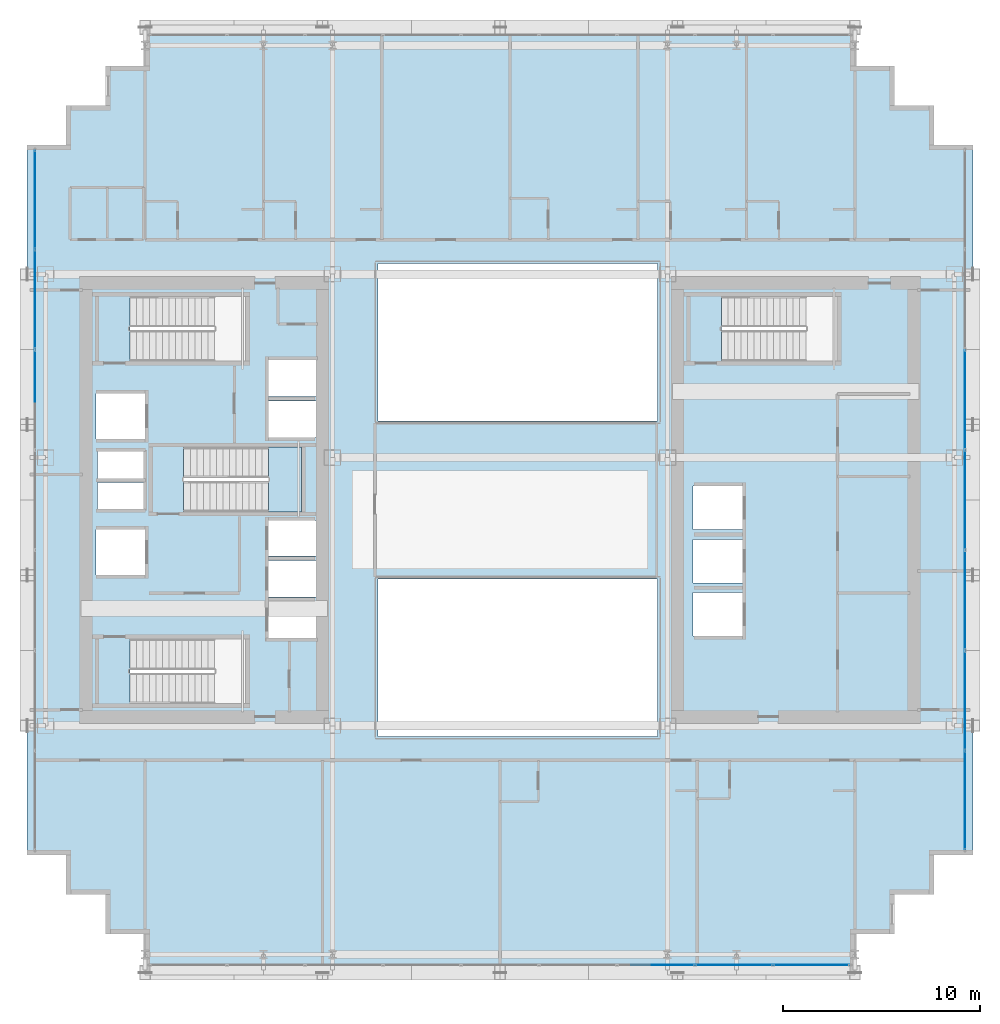
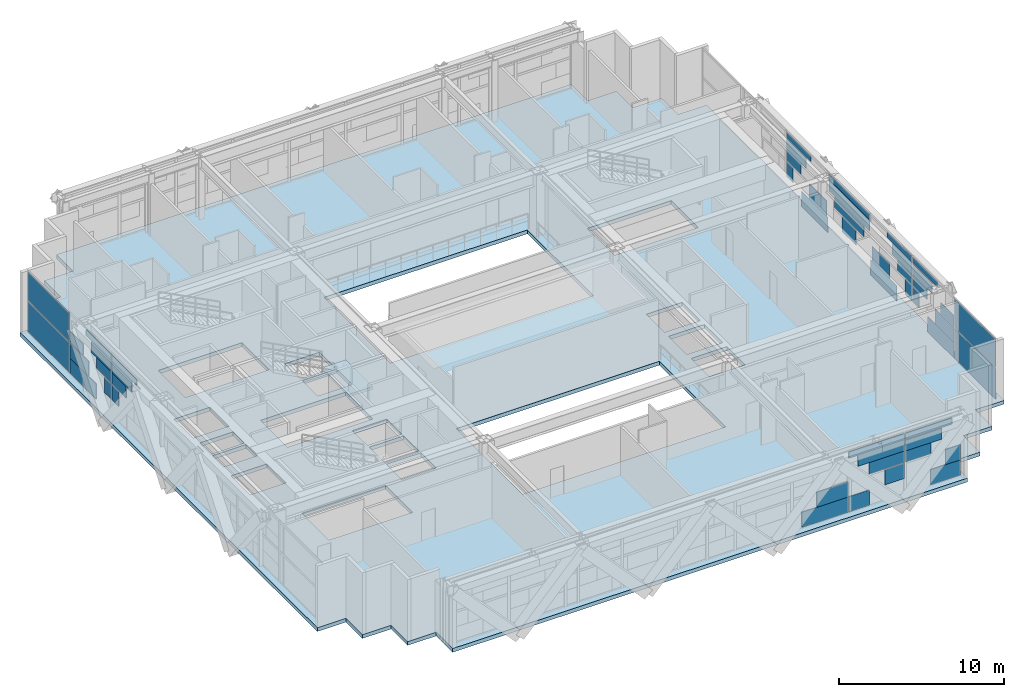
# One storey, part 26 of 38: 50 plates, 2 slabs, 4 elements without a shape of their own.
"""IFC4 building model written with IfcOpenShell, lengths in metres."""

import ifcopenshell
import ifcopenshell.guid

model = None  # the IFC model being written
_history = None  # IfcOwnerHistory: only IFC2X3 demands one
_inside = {}  # id of a spatial element -> (the spatial element, [elements in it])
_under = {}  # id of a project, library or spatial element -> (it, [spatial elements below it])
_declared = {}  # id of a project -> (the project, [libraries it declares])
_typed = {}  # id of a type object -> (the type object, [elements of that type])
_made_of = {}  # id of a material, layer set ... -> (it, [elements and type objects made of it])


def new_model(schema):
    """Start an empty IFC model of exactly this schema.

    Asked for "IFC4X3", IfcOpenShell would pick the latest addendum, in which some entities
    have other attributes; the version numbers below select the first issue.
    IFC2X3 requires an IfcOwnerHistory on every rooted entity: one is made here for all.
    """
    global model, _history
    if schema == "IFC4X3":
        model = ifcopenshell.file(schema_version=(4, 3, 0, 0))
    else:
        model = ifcopenshell.file(schema=schema)
    _inside.clear()
    _under.clear()
    _declared.clear()
    _typed.clear()
    _made_of.clear()
    _history = None
    if model.schema == "IFC2X3":
        org = make("IfcOrganization", Name="unknown")
        user = make(
            "IfcPersonAndOrganization",
            ThePerson=make("IfcPerson", FamilyName="unknown"),
            TheOrganization=org,
        )
        app = make(
            "IfcApplication",
            ApplicationDeveloper=org,
            Version="unknown",
            ApplicationFullName="unknown",
            ApplicationIdentifier="unknown",
        )
        _history = make(
            "IfcOwnerHistory",
            OwningUser=user,
            OwningApplication=app,
            ChangeAction="ADDED",
            CreationDate=0,
        )
    return model


def make(cls, **values):
    """One entity of the class cls with the attributes given. An attribute that is None is left unset."""
    return model.create_entity(
        cls, **{name: value for name, value in values.items() if value is not None}
    )


def rooted(cls, **values):
    """An entity with a GlobalId (a new one), such as an element, a storey or a relation."""
    return make(cls, GlobalId=ifcopenshell.guid.new(), OwnerHistory=_history, **values)


def si_unit(unit_type, name, prefix=None):
    """IfcSIUnit, for example si_unit("LENGTHUNIT", "METRE", prefix="MILLI")."""
    return make("IfcSIUnit", UnitType=unit_type, Prefix=prefix, Name=name)


def assignment(units):
    """IfcUnitAssignment: the units of a project."""
    return None if units is None else make("IfcUnitAssignment", Units=units)


def point(xyz):
    """IfcCartesianPoint."""
    return None if xyz is None else make("IfcCartesianPoint", Coordinates=xyz)


def direction(xyz):
    """IfcDirection."""
    return None if xyz is None else make("IfcDirection", DirectionRatios=xyz)


def frame(location, z_axis=None, x_axis=None):
    """IfcAxis2Placement3D, a coordinate frame: its origin and axes. An axis left out is left unset."""
    return make(
        "IfcAxis2Placement3D",
        Location=point(location),
        Axis=direction(z_axis),
        RefDirection=direction(x_axis),
    )


def frame_2d(location, x_axis=None):
    """IfcAxis2Placement2D, a coordinate frame in the plane: its origin and x axis."""
    return make(
        "IfcAxis2Placement2D", Location=point(location), RefDirection=direction(x_axis)
    )


def origin():
    """The frame at (0, 0, 0) with its axes left unset."""
    return frame((0.0, 0.0, 0.0))


def origin_2d():
    """The frame at (0, 0) in the plane with its x axis left unset."""
    return frame_2d((0.0, 0.0))


def place(relative_to, where):
    """IfcLocalPlacement: puts the frame where relative to a parent placement (None: the world)."""
    return make(
        "IfcLocalPlacement", PlacementRelTo=relative_to, RelativePlacement=where
    )


def context(
    kind, dimensions, precision=None, world=None, true_north=None, identifier=None
):
    """IfcGeometricRepresentationContext, for example the 3D "Model" context."""
    return make(
        "IfcGeometricRepresentationContext",
        ContextIdentifier=identifier,
        ContextType=kind,
        CoordinateSpaceDimension=dimensions,
        Precision=precision,
        WorldCoordinateSystem=world,
        TrueNorth=true_north,
    )


def subcontext(parent, identifier, kind, view, scale=None):
    """IfcGeometricRepresentationSubContext, for example "Body" below "Model"."""
    return make(
        "IfcGeometricRepresentationSubContext",
        ContextIdentifier=identifier,
        ContextType=kind,
        ParentContext=parent,
        TargetScale=scale,
        TargetView=view,
    )


def project(units=None, contexts=None):
    """IfcProject with its units and contexts."""
    return rooted(
        "IfcProject",
        Name="project",
        RepresentationContexts=contexts,
        UnitsInContext=assignment(units),
    )


def spatial(cls, under=None, at=None, **own):
    """A site, building, storey or space (cls), placed at a placement, below another one or the project."""
    s = rooted(cls, ObjectPlacement=at, **own)
    if under is not None:
        _under.setdefault(under.id(), (under, []))[1].append(s)
    return s


def polyline(points):
    """IfcPolyline through the points."""
    return make("IfcPolyline", Points=[point(p) for p in points])


def profile(cls, at=None, kind="AREA", **sizes):
    """A parametric profile (cls). Its sizes go by their IFC names, for example OverallWidth=200.0."""
    return make(cls, ProfileType=kind, Position=at, **sizes)


def rectangle(**sizes):
    """IfcRectangleProfileDef."""
    return profile("IfcRectangleProfileDef", **sizes)


def outline(outer, holes=None, kind="AREA"):
    """IfcArbitraryClosedProfileDef: a profile drawn as a closed curve; with holes, ...WithVoids."""
    if holes is None:
        return make("IfcArbitraryClosedProfileDef", ProfileType=kind, OuterCurve=outer)
    return make(
        "IfcArbitraryProfileDefWithVoids",
        ProfileType=kind,
        OuterCurve=outer,
        InnerCurves=holes,
    )


def extrude(swept, where, along, depth):
    """IfcExtrudedAreaSolid: the profile swept, set in the frame where, extruded along a direction by depth."""
    return make(
        "IfcExtrudedAreaSolid",
        SweptArea=swept,
        Position=where,
        ExtrudedDirection=direction(along),
        Depth=depth,
    )


def shape(context_of_items, identifier, shape_type, items):
    """IfcShapeRepresentation: the items that make up one representation, for example the "Body"."""
    return make(
        "IfcShapeRepresentation",
        ContextOfItems=context_of_items,
        RepresentationIdentifier=identifier,
        RepresentationType=shape_type,
        Items=items,
    )


def source(mapping_origin, context_of_items, identifier, shape_type, items):
    """IfcRepresentationMap: a shape defined once, which mapped items show again and again."""
    return make(
        "IfcRepresentationMap",
        MappingOrigin=mapping_origin,
        MappedRepresentation=shape(context_of_items, identifier, shape_type, items),
    )


def transform(
    local_origin,
    x_axis=None,
    y_axis=None,
    z_axis=None,
    scale=None,
    scale2=None,
    scale3=None,
    uniform=True,
):
    """IfcCartesianTransformationOperator3D, or its non-uniform kind. x_axis, y_axis, z_axis: its Axis1, 2, 3."""
    if uniform:
        return make(
            "IfcCartesianTransformationOperator3D",
            Axis1=direction(x_axis),
            Axis2=direction(y_axis),
            LocalOrigin=point(local_origin),
            Scale=scale,
            Axis3=direction(z_axis),
        )
    return make(
        "IfcCartesianTransformationOperator3DnonUniform",
        Axis1=direction(x_axis),
        Axis2=direction(y_axis),
        LocalOrigin=point(local_origin),
        Scale=scale,
        Axis3=direction(z_axis),
        Scale2=scale2,
        Scale3=scale3,
    )


def mapped(mapping_source, mapping_target):
    """IfcMappedItem: shows the shape of a source again, moved by a transform."""
    return make(
        "IfcMappedItem", MappingSource=mapping_source, MappingTarget=mapping_target
    )


def material(Name=None, Category=None):
    """IfcMaterial."""
    return make("IfcMaterial", Name=Name, Category=Category)


def layer(
    of_material, thickness, ventilated=None, Name=None, Category=None, Priority=None
):
    """IfcMaterialLayer: one layer of a wall or slab, of a material (None: an air gap)."""
    return make(
        "IfcMaterialLayer",
        Material=of_material,
        LayerThickness=thickness,
        IsVentilated=ventilated,
        Name=Name,
        Category=Category,
        Priority=Priority,
    )


def layer_set(layers, Name=None):
    """IfcMaterialLayerSet."""
    return make("IfcMaterialLayerSet", MaterialLayers=layers, LayerSetName=Name)


def made_of(thing, what):
    """Note that an element or type object is made of a material, layer set ...; save() writes the relation."""
    if what is not None:
        _made_of.setdefault(what.id(), (what, []))[1].append(thing)
    return thing


def type_object(cls, material=None, **own):
    """A type object (cls), such as IfcWallType, which elements share."""
    return made_of(rooted(cls, **own), material)


def element(
    cls,
    number,
    at=None,
    inside=None,
    cuts=None,
    type_object=None,
    material=None,
    context=None,
    identifier="Body",
    shape_type=None,
    held_by="IfcProductDefinitionShape",
    body=None,
    shapes=None,
    **own,
):
    """One element of the class cls, such as IfcWall. Its Tag is "e" and its number.

    at: its placement. inside: the storey or other place that contains it. cuts: it is an
    opening in that element (IfcRelVoidsElement). A single representation is given by context,
    identifier, shape_type and body (its items); several are given by shapes. held_by: the class
    of the entity that holds the representations. save() writes the other relations.
    """
    e = rooted(cls, Tag="e%d" % number, ObjectPlacement=at, **own)
    if body is not None:
        shapes = [shape(context, identifier, shape_type, body)]
    if shapes is not None:
        e.Representation = make(held_by, Representations=shapes)
    if inside is not None:
        _inside.setdefault(inside.id(), (inside, []))[1].append(e)
    if cuts is not None:
        rooted(
            "IfcRelVoidsElement", RelatingBuildingElement=cuts, RelatedOpeningElement=e
        )
    if type_object is not None:
        _typed.setdefault(type_object.id(), (type_object, []))[1].append(e)
    return made_of(e, material)


def aggregate(whole, parts):
    """IfcRelAggregates: a whole, such as a stair, and the parts it consists of."""
    return rooted("IfcRelAggregates", RelatingObject=whole, RelatedObjects=parts)


def save(model, path):
    """Write the relations noted so far, then the file.

    IfcRelAggregates (storeys below a building ...), IfcRelContainedInSpatialStructure (elements
    in a storey), IfcRelDefinesByType, IfcRelAssociatesMaterial and IfcRelDeclares: one each for
    every whole, place, type object, material and project.
    """
    for whole, parts in _under.values():
        aggregate(whole, parts)
    for where, things in _inside.values():
        rooted(
            "IfcRelContainedInSpatialStructure",
            RelatedElements=things,
            RelatingStructure=where,
        )
    for kind, things in _typed.values():
        rooted("IfcRelDefinesByType", RelatedObjects=things, RelatingType=kind)
    for what, things in _made_of.values():
        rooted("IfcRelAssociatesMaterial", RelatedObjects=things, RelatingMaterial=what)
    for by, libraries in _declared.values():
        rooted("IfcRelDeclares", RelatingContext=by, RelatedDefinitions=libraries)
    model.write(path)


model = new_model("IFC4")

# Units and contexts
model_context = context("Model", 3, precision=1e-05, world=origin(), true_north=direction((0.0, 1.0)))
body_context = subcontext(model_context, "Body", "Model", "MODEL_VIEW")
ifc_project = project(units=[si_unit("LENGTHUNIT", "METRE"), si_unit("AREAUNIT", "SQUARE_METRE"), si_unit("VOLUMEUNIT", "CUBIC_METRE"), si_unit("PLANEANGLEUNIT", "RADIAN"), si_unit("MASSUNIT", "GRAM", prefix="KILO")], contexts=[model_context])

# Site, building, storey
site_placement = place(None, origin())
site = spatial("IfcSite", under=ifc_project, at=site_placement, CompositionType="ELEMENT")
building_placement = place(site_placement, origin())
building = spatial("IfcBuilding", under=site, at=building_placement, Name="Ocotamira Hotel", CompositionType="ELEMENT")
storey_placement = place(building_placement, frame((0.0, 0.0, 92.39990234375)))
storey = spatial("IfcBuildingStorey", under=building, at=storey_placement, Name="L22", CompositionType="ELEMENT", Elevation=92.39990234375)

# Stair, slab
ifc_material_1 = material(Name="Concrete C40/50", Category="concrete")
stair_type = type_object("IfcStairType", Name="ST-CORE-1560", PredefinedType="HALF_TURN_STAIR", material=ifc_material_1)
stair_placement = place(storey_placement, origin())
stair = element("IfcStair", 1, at=stair_placement, inside=storey, type_object=stair_type, Name="L22 Exit Stair ST-3", PredefinedType="HALF_TURN_STAIR")
ifc_layer_1 = layer(ifc_material_1, 0.199951171875)
ifc_layer_set_1 = layer_set([ifc_layer_1], Name="Concrete C40/50")
slab_type_1 = type_object("IfcSlabType", Name="SLB-LAND-200", PredefinedType="LANDING", material=ifc_layer_set_1)
slab_1_placement = place(storey_placement, frame((0.0, 0.0, 2.2001953125)))
slab_1 = element("IfcSlab", 2, at=slab_1_placement, type_object=slab_type_1, Name="ST-3 landing 1", PredefinedType="LANDING", context=body_context, shape_type="SweptSolid", body=[
    extrude(outline(polyline([(20.25, 25.39990234375), (21.919921875, 25.39990234375), (21.919921875, 28.679931640625), (20.25, 28.679931640625), (20.25, 25.39990234375)])), origin(), (0.0, 0.0, 1.0), 0.199951171875),
])
aggregate(stair, [slab_1])

# Slab
ifc_layer_2 = layer(ifc_material_1, 0.280029296875)
ifc_layer_set_2 = layer_set([ifc_layer_2], Name="Concrete C40/50")
slab_type_2 = type_object("IfcSlabType", Name="SLB-SKY-280", PredefinedType="FLOOR", material=ifc_layer_set_2)
slab_2_placement = place(storey_placement, frame((0.0, 0.0, -0.27978515625)))
element("IfcSlab", 3, at=slab_2_placement, inside=storey, type_object=slab_type_2, Name="L22 Structural Floor Slab", PredefinedType="FLOOR", context=body_context, shape_type="SweptSolid", body=[
    extrude(outline(polyline([(14.0, 2.0), (50.0, 2.0), (50.0, 4.0), (52.0, 4.0), (52.0, 6.0), (54.0, 6.0), (54.0, 8.0), (56.0, 8.0), (56.0, 44.0), (54.0, 44.0), (54.0, 46.0), (52.0, 46.0), (52.0, 48.0), (50.0, 48.0), (50.0, 50.0), (14.0, 50.0), (14.0, 48.0), (12.0, 48.0), (12.0, 46.0), (10.0, 46.0), (10.0, 44.0), (8.0, 44.0), (8.0, 8.0), (10.0, 8.0), (10.0, 6.0), (12.0, 6.0), (12.0, 4.0), (14.0, 4.0), (14.0, 2.0)]), holes=[polyline([(25.800048828125, 14.0), (40.0, 14.0), (40.0, 22.0), (25.800048828125, 22.0), (25.800048828125, 14.0)]), polyline([(25.800048828125, 30.0), (40.0, 30.0), (40.0, 38.0), (25.800048828125, 38.0), (25.800048828125, 30.0)]), polyline([(13.22998046875, 15.669921875), (19.090087890625, 15.669921875), (19.090087890625, 18.949951171875), (13.22998046875, 18.949951171875), (13.22998046875, 15.669921875)]), polyline([(13.22998046875, 33.050048828125), (19.090087890625, 33.050048828125), (19.090087890625, 36.330078125), (13.22998046875, 36.330078125), (13.22998046875, 33.050048828125)]), polyline([(15.9599609375, 25.39990234375), (21.919921875, 25.39990234375), (21.919921875, 28.679931640625), (15.9599609375, 28.679931640625), (15.9599609375, 25.39990234375)]), polyline([(43.22998046875, 33.050048828125), (49.090087890625, 33.050048828125), (49.090087890625, 36.330078125), (43.22998046875, 36.330078125), (43.22998046875, 33.050048828125)]), polyline([(41.800048828125, 19.10009765625), (44.300048828125, 19.10009765625), (44.300048828125, 21.300048828125), (41.800048828125, 21.300048828125), (41.800048828125, 19.10009765625)]), polyline([(41.800048828125, 21.800048828125), (44.300048828125, 21.800048828125), (44.300048828125, 24.0), (41.800048828125, 24.0), (41.800048828125, 21.800048828125)]), polyline([(41.800048828125, 24.5), (44.300048828125, 24.5), (44.300048828125, 26.699951171875), (41.800048828125, 26.699951171875), (41.800048828125, 24.5)]), polyline([(20.25, 19.0), (22.659912109375, 19.0), (22.659912109375, 20.85009765625), (20.25, 20.85009765625), (20.25, 19.0)]), polyline([(20.25, 21.080078125), (22.659912109375, 21.080078125), (22.659912109375, 22.929931640625), (20.25, 22.929931640625), (20.25, 21.080078125)]), polyline([(20.25, 23.159912109375), (22.659912109375, 23.159912109375), (22.659912109375, 24.9599609375), (20.25, 24.9599609375), (20.25, 23.159912109375)]), polyline([(20.25, 29.179931640625), (22.659912109375, 29.179931640625), (22.659912109375, 31.030029296875), (20.25, 31.030029296875), (20.25, 29.179931640625)]), polyline([(20.25, 31.260009765625), (22.659912109375, 31.260009765625), (22.659912109375, 33.110107421875), (20.25, 33.110107421875), (20.25, 31.260009765625)]), polyline([(11.5, 22.199951171875), (14.0, 22.199951171875), (14.0, 24.5), (11.5, 24.5), (11.5, 22.199951171875)]), polyline([(11.5, 29.10009765625), (14.0, 29.10009765625), (14.0, 31.39990234375), (11.5, 31.39990234375), (11.5, 29.10009765625)]), polyline([(11.580078125, 25.550048828125), (13.919921875, 25.550048828125), (13.919921875, 26.89990234375), (11.580078125, 26.89990234375), (11.580078125, 25.550048828125)]), polyline([(11.580078125, 27.10009765625), (13.919921875, 27.10009765625), (13.919921875, 28.449951171875), (11.580078125, 28.449951171875), (11.580078125, 27.10009765625)])]), origin(), (0.0, 0.0, 1.0), 0.27978515625),
])

# Curtain wall, plate
ifc_material_2 = material(Name="Anodised pale-metal aluminium and solar glass", Category="aluminium")
ifc_layer_3 = layer(ifc_material_2, 0.239990234375)
ifc_layer_set_3 = layer_set([ifc_layer_3], Name="Anodised pale-metal aluminium and solar glass")
curtain_wall_type = type_object("IfcCurtainWallType", Name="CW-SYS5-SKY", PredefinedType="NOTDEFINED", material=ifc_layer_set_3)
curtain_wall_1_placement = place(storey_placement, origin())
curtain_wall_1 = element("IfcCurtainWall", 4, at=curtain_wall_1_placement, inside=storey, type_object=curtain_wall_type, Name="L22 Curtain Wall CW-5 CW-L22-W", PredefinedType="NOTDEFINED")
ifc_material_3 = material(Name="Double-silver low-E insulated solar glass", Category="glass")
ifc_layer_4 = layer(ifc_material_3, 0.031982421875)
ifc_layer_set_4 = layer_set([ifc_layer_4], Name="Double-silver low-E insulated solar glass")
plate_type = type_object("IfcPlateType", Name="CWP-VISION-32", PredefinedType="CURTAIN_PANEL", material=ifc_layer_set_4)
shared_shape_1 = source(origin(), body_context, "Body", "SweptSolid", [
    extrude(rectangle(XDim=4.9658203125, YDim=0.031982421875, at=origin_2d()), origin(), (0.0, 0.0, 1.0), 2.237548828125),
])
plate_1_placement = place(storey_placement, frame((8.419921875, 41.237060546875, 0.0751953125), z_axis=(0.0, 0.0, 1.0), x_axis=(0.0, 1.0, 0.0)))
plate_1 = element("IfcPlate", 5, at=plate_1_placement, type_object=plate_type, Name="CW-5 panel 7.1", PredefinedType="CURTAIN_PANEL", context=body_context, shape_type="MappedRepresentation", body=[
    mapped(shared_shape_1, transform((0.0, 0.0, 0.0), scale=1.0)),
])

curtain_wall_2_placement = place(storey_placement, origin())
curtain_wall_2 = element("IfcCurtainWall", 6, at=curtain_wall_2_placement, inside=storey, type_object=curtain_wall_type, Name="L22 Curtain Wall CW-5 CW-L22-E", PredefinedType="NOTDEFINED")
plate_2_placement = place(storey_placement, frame((55.580078125, 10.762939453125, 0.0751953125), z_axis=(0.0, 0.0, 1.0), x_axis=(0.0, 1.0, 0.0)))
plate_2 = element("IfcPlate", 7, at=plate_2_placement, type_object=plate_type, Name="CW-5 panel 1.1", PredefinedType="CURTAIN_PANEL", context=body_context, shape_type="MappedRepresentation", body=[
    mapped(shared_shape_1, transform((0.0, 0.0, 0.0), scale=1.0)),
])

# Curtain wall, plates
curtain_wall_3_placement = place(storey_placement, origin())
curtain_wall_3 = element("IfcCurtainWall", 8, at=curtain_wall_3_placement, inside=storey, type_object=curtain_wall_type, Name="L22 Curtain Wall CW-5 CW-L22-S1", PredefinedType="NOTDEFINED")
shared_shape_2 = source(origin(), body_context, "Body", "SweptSolid", [
    extrude(rectangle(XDim=2.0712890625, YDim=0.031982421875, at=origin_2d()), origin(), (0.0, 0.0, 1.0), 1.118896484375),
])
plate_3_placement = place(storey_placement, frame((48.684326171875, 2.419921875, 0.0751953125), z_axis=(0.0, 0.0, 1.0), x_axis=(1.0, 0.0, 0.0)))
plate_3 = element("IfcPlate", 9, at=plate_3_placement, type_object=plate_type, Name="CW-5 panel 9.1.1", PredefinedType="CURTAIN_PANEL", context=body_context, shape_type="MappedRepresentation", body=[
    mapped(shared_shape_2, transform((0.0, 0.0, 0.0), scale=1.0)),
])
shared_shape_3 = source(origin(), body_context, "Body", "SweptSolid", [
    extrude(rectangle(XDim=1.031005859375, YDim=0.031982421875, at=origin_2d()), origin(), (0.0, 0.0, 1.0), 1.118896484375),
])
plate_4_placement = place(storey_placement, frame((49.20458984375, 2.419921875, 1.19384765625), z_axis=(0.0, 0.0, 1.0), x_axis=(1.0, 0.0, 0.0)))
plate_4 = element("IfcPlate", 10, at=plate_4_placement, type_object=plate_type, Name="CW-5 panel 9.1.2", PredefinedType="CURTAIN_PANEL", context=body_context, shape_type="MappedRepresentation", body=[
    mapped(shared_shape_3, transform((0.0, 0.0, 0.0), scale=1.0)),
])
shared_shape_4 = source(origin(), body_context, "Body", "SweptSolid", [
    extrude(rectangle(XDim=3.256591796875, YDim=0.031982421875, at=origin_2d()), origin(), (0.0, 0.0, 1.0), 0.42919921875),
])
plate_5_placement = place(storey_placement, frame((47.5126953125, 2.419921875, 4.055908203125), z_axis=(0.0, 0.0, 1.0), x_axis=(1.0, 0.0, 0.0)))
plate_5 = element("IfcPlate", 11, at=plate_5_placement, type_object=plate_type, Name="CW-5 panel 9.2.3", PredefinedType="CURTAIN_PANEL", context=body_context, shape_type="MappedRepresentation", body=[
    mapped(shared_shape_4, transform((0.0, 0.0, 0.0), scale=1.0)),
])
shared_shape_5 = source(origin(), body_context, "Body", "SweptSolid", [
    extrude(rectangle(XDim=2.523193359375, YDim=0.031982421875, at=origin_2d()), origin(), (0.0, 0.0, 1.0), 0.79736328125),
])
plate_6_placement = place(storey_placement, frame((47.14599609375, 2.419921875, 3.184814453125), z_axis=(0.0, 0.0, 1.0), x_axis=(1.0, 0.0, 0.0)))
plate_6 = element("IfcPlate", 12, at=plate_6_placement, type_object=plate_type, Name="CW-5 panel 9.2.2", PredefinedType="CURTAIN_PANEL", context=body_context, shape_type="MappedRepresentation", body=[
    mapped(shared_shape_5, transform((0.0, 0.0, 0.0), scale=1.0)),
])
shared_shape_6 = source(origin(), body_context, "Body", "SweptSolid", [
    extrude(rectangle(XDim=1.781982421875, YDim=0.031982421875, at=origin_2d()), origin(), (0.0, 0.0, 1.0), 0.79736328125),
])
plate_7_placement = place(storey_placement, frame((46.775390625, 2.419921875, 2.387451171875), z_axis=(0.0, 0.0, 1.0), x_axis=(1.0, 0.0, 0.0)))
plate_7 = element("IfcPlate", 13, at=plate_7_placement, type_object=plate_type, Name="CW-5 panel 9.2.1", PredefinedType="CURTAIN_PANEL", context=body_context, shape_type="MappedRepresentation", body=[
    mapped(shared_shape_6, transform((0.0, 0.0, 0.0), scale=1.0)),
])
shared_shape_7 = source(origin(), body_context, "Body", "SweptSolid", [
    extrude(rectangle(XDim=1.36083984375, YDim=0.031982421875, at=origin_2d()), origin(), (0.0, 0.0, 1.0), 1.118896484375),
])
plate_8_placement = place(storey_placement, frame((45.1240234375, 2.419921875, 1.19384765625), z_axis=(0.0, 0.0, 1.0), x_axis=(1.0, 0.0, 0.0)))
plate_8 = element("IfcPlate", 14, at=plate_8_placement, type_object=plate_type, Name="CW-5 panel 8.1.2", PredefinedType="CURTAIN_PANEL", context=body_context, shape_type="MappedRepresentation", body=[
    mapped(shared_shape_7, transform((0.0, 0.0, 0.0), scale=1.0)),
])
shared_shape_8 = source(origin(), body_context, "Body", "SweptSolid", [
    extrude(rectangle(XDim=1.42236328125, YDim=0.031982421875, at=origin_2d()), origin(), (0.0, 0.0, 1.0), 1.118896484375),
])
plate_9_placement = place(storey_placement, frame((42.639892578125, 2.419921875, 0.0751953125), z_axis=(0.0, 0.0, 1.0), x_axis=(1.0, 0.0, 0.0)))
plate_9 = element("IfcPlate", 15, at=plate_9_placement, type_object=plate_type, Name="CW-5 panel 8.1.1", PredefinedType="CURTAIN_PANEL", context=body_context, shape_type="MappedRepresentation", body=[
    mapped(shared_shape_8, transform((0.0, 0.0, 0.0), scale=1.0)),
])
shared_shape_9 = source(origin(), body_context, "Body", "SweptSolid", [
    extrude(rectangle(XDim=2.470703125, YDim=0.031982421875, at=origin_2d()), origin(), (0.0, 0.0, 1.0), 0.834228515625),
])
plate_10_placement = place(storey_placement, frame((44.569091796875, 2.419921875, 2.3876953125), z_axis=(0.0, 0.0, 1.0), x_axis=(1.0, 0.0, 0.0)))
plate_10 = element("IfcPlate", 16, at=plate_10_placement, type_object=plate_type, Name="CW-5 panel 8.2.3", PredefinedType="CURTAIN_PANEL", context=body_context, shape_type="MappedRepresentation", body=[
    mapped(shared_shape_9, transform((0.0, 0.0, 0.0), scale=1.0)),
])
shared_shape_10 = source(origin(), body_context, "Body", "SweptSolid", [
    extrude(rectangle(XDim=3.246337890625, YDim=0.031982421875, at=origin_2d()), origin(), (0.0, 0.0, 1.0), 0.834228515625),
])
plate_11_placement = place(storey_placement, frame((44.18115234375, 2.419921875, 3.2216796875), z_axis=(0.0, 0.0, 1.0), x_axis=(1.0, 0.0, 0.0)))
plate_11 = element("IfcPlate", 17, at=plate_11_placement, type_object=plate_type, Name="CW-5 panel 8.2.2", PredefinedType="CURTAIN_PANEL", context=body_context, shape_type="MappedRepresentation", body=[
    mapped(shared_shape_10, transform((0.0, 0.0, 0.0), scale=1.0)),
])
shared_shape_11 = source(origin(), body_context, "Body", "SweptSolid", [
    extrude(rectangle(XDim=3.87548828125, YDim=0.031982421875, at=origin_2d()), origin(), (0.0, 0.0, 1.0), 0.42919921875),
])
plate_12_placement = place(storey_placement, frame((43.86669921875, 2.419921875, 4.055908203125), z_axis=(0.0, 0.0, 1.0), x_axis=(1.0, 0.0, 0.0)))
plate_12 = element("IfcPlate", 18, at=plate_12_placement, type_object=plate_type, Name="CW-5 panel 8.2.1", PredefinedType="CURTAIN_PANEL", context=body_context, shape_type="MappedRepresentation", body=[
    mapped(shared_shape_11, transform((0.0, 0.0, 0.0), scale=1.0)),
])
shared_shape_12 = source(origin(), body_context, "Body", "SweptSolid", [
    extrude(rectangle(XDim=3.2001953125, YDim=0.031982421875, at=origin_2d()), origin(), (0.0, 0.0, 1.0), 1.118896484375),
])
plate_13_placement = place(storey_placement, frame((40.248779296875, 2.419921875, 0.0751953125), z_axis=(0.0, 0.0, 1.0), x_axis=(1.0, 0.0, 0.0)))
plate_13 = element("IfcPlate", 19, at=plate_13_placement, type_object=plate_type, Name="CW-5 panel 7.1.1", PredefinedType="CURTAIN_PANEL", context=body_context, shape_type="MappedRepresentation", body=[
    mapped(shared_shape_12, transform((0.0, 0.0, 0.0), scale=1.0)),
])
shared_shape_13 = source(origin(), body_context, "Body", "SweptSolid", [
    extrude(rectangle(XDim=2.159912109375, YDim=0.031982421875, at=origin_2d()), origin(), (0.0, 0.0, 1.0), 1.118896484375),
])
plate_14_placement = place(storey_placement, frame((40.768798828125, 2.419921875, 1.19384765625), z_axis=(0.0, 0.0, 1.0), x_axis=(1.0, 0.0, 0.0)))
plate_14 = element("IfcPlate", 20, at=plate_14_placement, type_object=plate_type, Name="CW-5 panel 7.1.2", PredefinedType="CURTAIN_PANEL", context=body_context, shape_type="MappedRepresentation", body=[
    mapped(shared_shape_13, transform((0.0, 0.0, 0.0), scale=1.0)),
])
aggregate(curtain_wall_3, [plate_13, plate_14, plate_9, plate_8, plate_12, plate_11, plate_10, plate_3, plate_4, plate_7, plate_6, plate_5])

# Plate
shared_shape_14 = source(origin(), body_context, "Body", "SweptSolid", [
    extrude(rectangle(XDim=4.9658203125, YDim=0.031982421875, at=origin_2d()), origin(), (0.0, 0.0, 1.0), 2.097412109375),
])
plate_15_placement = place(storey_placement, frame((8.419921875, 41.237060546875, 2.3876953125), z_axis=(0.0, 0.0, 1.0), x_axis=(0.0, 1.0, 0.0)))
plate_15 = element("IfcPlate", 21, at=plate_15_placement, type_object=plate_type, Name="CW-5 panel 7.2", PredefinedType="CURTAIN_PANEL", context=body_context, shape_type="MappedRepresentation", body=[
    mapped(shared_shape_14, transform((0.0, 0.0, 0.0), scale=1.0)),
])

plate_16_placement = place(storey_placement, frame((55.580078125, 10.762939453125, 2.3876953125), z_axis=(0.0, 0.0, 1.0), x_axis=(0.0, 1.0, 0.0)))
plate_16 = element("IfcPlate", 22, at=plate_16_placement, type_object=plate_type, Name="CW-5 panel 1.2", PredefinedType="CURTAIN_PANEL", context=body_context, shape_type="MappedRepresentation", body=[
    mapped(shared_shape_14, transform((0.0, 0.0, 0.0), scale=1.0)),
])

shared_shape_15 = source(origin(), body_context, "Body", "SweptSolid", [
    extrude(rectangle(XDim=3.172119140625, YDim=0.031982421875, at=origin_2d()), origin(), (0.0, 0.0, 1.0), 1.118896484375),
])
plate_17_placement = place(storey_placement, frame((8.419921875, 37.088134765625, 0.0751953125), z_axis=(0.0, 0.0, 1.0), x_axis=(0.0, 1.0, 0.0)))
plate_17 = element("IfcPlate", 23, at=plate_17_placement, type_object=plate_type, Name="CW-5 panel 6.1.2", PredefinedType="CURTAIN_PANEL", context=body_context, shape_type="MappedRepresentation", body=[
    mapped(shared_shape_15, transform((0.0, 0.0, 0.0), scale=1.0)),
])

plate_18_placement = place(storey_placement, frame((55.580078125, 14.911865234375, 0.0751953125), z_axis=(0.0, 0.0, 1.0), x_axis=(0.0, 1.0, 0.0)))
plate_18 = element("IfcPlate", 24, at=plate_18_placement, type_object=plate_type, Name="CW-5 panel 2.1.1", PredefinedType="CURTAIN_PANEL", context=body_context, shape_type="MappedRepresentation", body=[
    mapped(shared_shape_15, transform((0.0, 0.0, 0.0), scale=1.0)),
])

shared_shape_16 = source(origin(), body_context, "Body", "SweptSolid", [
    extrude(rectangle(XDim=2.2900390625, YDim=0.031982421875, at=origin_2d()), origin(), (0.0, 0.0, 1.0), 1.118896484375),
])
plate_19_placement = place(storey_placement, frame((8.419921875, 37.529296875, 1.19384765625), z_axis=(0.0, 0.0, 1.0), x_axis=(0.0, 1.0, 0.0)))
plate_19 = element("IfcPlate", 25, at=plate_19_placement, type_object=plate_type, Name="CW-5 panel 6.1.3", PredefinedType="CURTAIN_PANEL", context=body_context, shape_type="MappedRepresentation", body=[
    mapped(shared_shape_16, transform((0.0, 0.0, 0.0), scale=1.0)),
])

plate_20_placement = place(storey_placement, frame((55.580078125, 14.470703125, 1.19384765625), z_axis=(0.0, 0.0, 1.0), x_axis=(0.0, 1.0, 0.0)))
plate_20 = element("IfcPlate", 26, at=plate_20_placement, type_object=plate_type, Name="CW-5 panel 2.1.2", PredefinedType="CURTAIN_PANEL", context=body_context, shape_type="MappedRepresentation", body=[
    mapped(shared_shape_16, transform((0.0, 0.0, 0.0), scale=1.0)),
])

shared_shape_17 = source(origin(), body_context, "Body", "SweptSolid", [
    extrude(rectangle(XDim=0.814697265625, YDim=0.031982421875, at=origin_2d()), origin(), (0.0, 0.0, 1.0), 1.118896484375),
])
plate_21_placement = place(storey_placement, frame((8.419921875, 34.075927734375, 1.19384765625), z_axis=(0.0, 0.0, 1.0), x_axis=(0.0, 1.0, 0.0)))
plate_21 = element("IfcPlate", 27, at=plate_21_placement, type_object=plate_type, Name="CW-5 panel 6.1.1", PredefinedType="CURTAIN_PANEL", context=body_context, shape_type="MappedRepresentation", body=[
    mapped(shared_shape_17, transform((0.0, 0.0, 0.0), scale=1.0)),
])

plate_22_placement = place(storey_placement, frame((55.580078125, 17.924072265625, 1.19384765625), z_axis=(0.0, 0.0, 1.0), x_axis=(0.0, 1.0, 0.0)))
plate_22 = element("IfcPlate", 28, at=plate_22_placement, type_object=plate_type, Name="CW-5 panel 2.1.3", PredefinedType="CURTAIN_PANEL", context=body_context, shape_type="MappedRepresentation", body=[
    mapped(shared_shape_17, transform((0.0, 0.0, 0.0), scale=1.0)),
])

shared_shape_18 = source(origin(), body_context, "Body", "SweptSolid", [
    extrude(rectangle(XDim=1.594482421875, YDim=0.031982421875, at=origin_2d()), origin(), (0.0, 0.0, 1.0), 0.80712890625),
])
plate_23_placement = place(storey_placement, frame((8.419921875, 37.877197265625, 2.3876953125), z_axis=(0.0, 0.0, 1.0), x_axis=(0.0, 1.0, 0.0)))
plate_23 = element("IfcPlate", 29, at=plate_23_placement, type_object=plate_type, Name="CW-5 panel 6.2.4", PredefinedType="CURTAIN_PANEL", context=body_context, shape_type="MappedRepresentation", body=[
    mapped(shared_shape_18, transform((0.0, 0.0, 0.0), scale=1.0)),
])

plate_24_placement = place(storey_placement, frame((55.580078125, 14.122802734375, 2.3876953125), z_axis=(0.0, 0.0, 1.0), x_axis=(0.0, 1.0, 0.0)))
plate_24 = element("IfcPlate", 30, at=plate_24_placement, type_object=plate_type, Name="CW-5 panel 2.2.1", PredefinedType="CURTAIN_PANEL", context=body_context, shape_type="MappedRepresentation", body=[
    mapped(shared_shape_18, transform((0.0, 0.0, 0.0), scale=1.0)),
])

shared_shape_19 = source(origin(), body_context, "Body", "SweptSolid", [
    extrude(rectangle(XDim=3.012939453125, YDim=0.031982421875, at=origin_2d()), origin(), (0.0, 0.0, 1.0), 0.403076171875),
])
plate_25_placement = place(storey_placement, frame((8.419921875, 35.175048828125, 4.08203125), z_axis=(0.0, 0.0, 1.0), x_axis=(0.0, 1.0, 0.0)))
plate_25 = element("IfcPlate", 31, at=plate_25_placement, type_object=plate_type, Name="CW-5 panel 6.2.3", PredefinedType="CURTAIN_PANEL", context=body_context, shape_type="MappedRepresentation", body=[
    mapped(shared_shape_19, transform((0.0, 0.0, 0.0), scale=1.0)),
])

plate_26_placement = place(storey_placement, frame((55.580078125, 16.824951171875, 4.08203125), z_axis=(0.0, 0.0, 1.0), x_axis=(0.0, 1.0, 0.0)))
plate_26 = element("IfcPlate", 32, at=plate_26_placement, type_object=plate_type, Name="CW-5 panel 2.2.2", PredefinedType="CURTAIN_PANEL", context=body_context, shape_type="MappedRepresentation", body=[
    mapped(shared_shape_19, transform((0.0, 0.0, 0.0), scale=1.0)),
])

shared_shape_20 = source(origin(), body_context, "Body", "SweptSolid", [
    extrude(rectangle(XDim=2.392578125, YDim=0.031982421875, at=origin_2d()), origin(), (0.0, 0.0, 1.0), 0.80712890625),
])
plate_27_placement = place(storey_placement, frame((8.419921875, 34.86474609375, 3.19482421875), z_axis=(0.0, 0.0, 1.0), x_axis=(0.0, 1.0, 0.0)))
plate_27 = element("IfcPlate", 33, at=plate_27_placement, type_object=plate_type, Name="CW-5 panel 6.2.2", PredefinedType="CURTAIN_PANEL", context=body_context, shape_type="MappedRepresentation", body=[
    mapped(shared_shape_20, transform((0.0, 0.0, 0.0), scale=1.0)),
])

plate_28_placement = place(storey_placement, frame((55.580078125, 17.13525390625, 3.19482421875), z_axis=(0.0, 0.0, 1.0), x_axis=(0.0, 1.0, 0.0)))
plate_28 = element("IfcPlate", 34, at=plate_28_placement, type_object=plate_type, Name="CW-5 panel 2.2.3", PredefinedType="CURTAIN_PANEL", context=body_context, shape_type="MappedRepresentation", body=[
    mapped(shared_shape_20, transform((0.0, 0.0, 0.0), scale=1.0)),
])

shared_shape_21 = source(origin(), body_context, "Body", "SweptSolid", [
    extrude(rectangle(XDim=1.756103515625, YDim=0.031982421875, at=origin_2d()), origin(), (0.0, 0.0, 1.0), 0.80712890625),
])
plate_29_placement = place(storey_placement, frame((8.419921875, 34.546630859375, 2.3876953125), z_axis=(0.0, 0.0, 1.0), x_axis=(0.0, 1.0, 0.0)))
plate_29 = element("IfcPlate", 35, at=plate_29_placement, type_object=plate_type, Name="CW-5 panel 6.2.1", PredefinedType="CURTAIN_PANEL", context=body_context, shape_type="MappedRepresentation", body=[
    mapped(shared_shape_21, transform((0.0, 0.0, 0.0), scale=1.0)),
])

plate_30_placement = place(storey_placement, frame((55.580078125, 17.453369140625, 2.3876953125), z_axis=(0.0, 0.0, 1.0), x_axis=(0.0, 1.0, 0.0)))
plate_30 = element("IfcPlate", 36, at=plate_30_placement, type_object=plate_type, Name="CW-5 panel 2.2.4", PredefinedType="CURTAIN_PANEL", context=body_context, shape_type="MappedRepresentation", body=[
    mapped(shared_shape_21, transform((0.0, 0.0, 0.0), scale=1.0)),
])

shared_shape_22 = source(origin(), body_context, "Body", "SweptSolid", [
    extrude(rectangle(XDim=0.80517578125, YDim=0.031982421875, at=origin_2d()), origin(), (0.0, 0.0, 1.0), 1.118896484375),
])
plate_31_placement = place(storey_placement, frame((8.419921875, 33.18603515625, 1.19384765625), z_axis=(0.0, 0.0, 1.0), x_axis=(0.0, 1.0, 0.0)))
plate_31 = element("IfcPlate", 37, at=plate_31_placement, type_object=plate_type, Name="CW-5 panel 5.1.3", PredefinedType="CURTAIN_PANEL", context=body_context, shape_type="MappedRepresentation", body=[
    mapped(shared_shape_22, transform((0.0, 0.0, 0.0), scale=1.0)),
])

plate_32_placement = place(storey_placement, frame((55.580078125, 18.81396484375, 1.19384765625), z_axis=(0.0, 0.0, 1.0), x_axis=(0.0, 1.0, 0.0)))
plate_32 = element("IfcPlate", 38, at=plate_32_placement, type_object=plate_type, Name="CW-5 panel 3.1.1", PredefinedType="CURTAIN_PANEL", context=body_context, shape_type="MappedRepresentation", body=[
    mapped(shared_shape_22, transform((0.0, 0.0, 0.0), scale=1.0)),
])

plate_33_placement = place(storey_placement, frame((55.580078125, 33.18603515625, 1.19384765625), z_axis=(0.0, 0.0, 1.0), x_axis=(0.0, 1.0, 0.0)))
plate_33 = element("IfcPlate", 39, at=plate_33_placement, type_object=plate_type, Name="CW-5 panel 5.1.3", PredefinedType="CURTAIN_PANEL", context=body_context, shape_type="MappedRepresentation", body=[
    mapped(shared_shape_22, transform((0.0, 0.0, 0.0), scale=1.0)),
])

shared_shape_23 = source(origin(), body_context, "Body", "SweptSolid", [
    extrude(rectangle(XDim=3.181884765625, YDim=0.031982421875, at=origin_2d()), origin(), (0.0, 0.0, 1.0), 1.118896484375),
])
plate_34_placement = place(storey_placement, frame((55.580078125, 21.826171875, 0.0751953125), z_axis=(0.0, 0.0, 1.0), x_axis=(0.0, 1.0, 0.0)))
plate_34 = element("IfcPlate", 40, at=plate_34_placement, type_object=plate_type, Name="CW-5 panel 3.1.2", PredefinedType="CURTAIN_PANEL", context=body_context, shape_type="MappedRepresentation", body=[
    mapped(shared_shape_23, transform((0.0, 0.0, 0.0), scale=1.0)),
])

plate_35_placement = place(storey_placement, frame((55.580078125, 30.173828125, 0.0751953125), z_axis=(0.0, 0.0, 1.0), x_axis=(0.0, 1.0, 0.0)))
plate_35 = element("IfcPlate", 41, at=plate_35_placement, type_object=plate_type, Name="CW-5 panel 5.1.1", PredefinedType="CURTAIN_PANEL", context=body_context, shape_type="MappedRepresentation", body=[
    mapped(shared_shape_23, transform((0.0, 0.0, 0.0), scale=1.0)),
])

shared_shape_24 = source(origin(), body_context, "Body", "SweptSolid", [
    extrude(rectangle(XDim=2.131591796875, YDim=0.031982421875, at=origin_2d()), origin(), (0.0, 0.0, 1.0), 1.118896484375),
])
plate_36_placement = place(storey_placement, frame((55.580078125, 22.183349609375, 1.19384765625), z_axis=(0.0, 0.0, 1.0), x_axis=(0.0, 1.0, 0.0)))
plate_36 = element("IfcPlate", 42, at=plate_36_placement, type_object=plate_type, Name="CW-5 panel 3.1.3", PredefinedType="CURTAIN_PANEL", context=body_context, shape_type="MappedRepresentation", body=[
    mapped(shared_shape_24, transform((0.0, 0.0, 0.0), scale=1.0)),
])

plate_37_placement = place(storey_placement, frame((55.580078125, 29.816650390625, 1.19384765625), z_axis=(0.0, 0.0, 1.0), x_axis=(0.0, 1.0, 0.0)))
plate_37 = element("IfcPlate", 43, at=plate_37_placement, type_object=plate_type, Name="CW-5 panel 5.1.2", PredefinedType="CURTAIN_PANEL", context=body_context, shape_type="MappedRepresentation", body=[
    mapped(shared_shape_24, transform((0.0, 0.0, 0.0), scale=1.0)),
])

shared_shape_25 = source(origin(), body_context, "Body", "SweptSolid", [
    extrude(rectangle(XDim=1.746337890625, YDim=0.031982421875, at=origin_2d()), origin(), (0.0, 0.0, 1.0), 0.80712890625),
])
plate_38_placement = place(storey_placement, frame((8.419921875, 32.71533203125, 2.3876953125), z_axis=(0.0, 0.0, 1.0), x_axis=(0.0, 1.0, 0.0)))
plate_38 = element("IfcPlate", 44, at=plate_38_placement, type_object=plate_type, Name="CW-5 panel 5.2.3", PredefinedType="CURTAIN_PANEL", context=body_context, shape_type="MappedRepresentation", body=[
    mapped(shared_shape_25, transform((0.0, 0.0, 0.0), scale=1.0)),
])

plate_39_placement = place(storey_placement, frame((55.580078125, 19.28466796875, 2.3876953125), z_axis=(0.0, 0.0, 1.0), x_axis=(0.0, 1.0, 0.0)))
plate_39 = element("IfcPlate", 45, at=plate_39_placement, type_object=plate_type, Name="CW-5 panel 3.2.1", PredefinedType="CURTAIN_PANEL", context=body_context, shape_type="MappedRepresentation", body=[
    mapped(shared_shape_25, transform((0.0, 0.0, 0.0), scale=1.0)),
])

plate_40_placement = place(storey_placement, frame((55.580078125, 32.71533203125, 2.3876953125), z_axis=(0.0, 0.0, 1.0), x_axis=(0.0, 1.0, 0.0)))
plate_40 = element("IfcPlate", 46, at=plate_40_placement, type_object=plate_type, Name="CW-5 panel 5.2.3", PredefinedType="CURTAIN_PANEL", context=body_context, shape_type="MappedRepresentation", body=[
    mapped(shared_shape_25, transform((0.0, 0.0, 0.0), scale=1.0)),
])

shared_shape_26 = source(origin(), body_context, "Body", "SweptSolid", [
    extrude(rectangle(XDim=2.383056640625, YDim=0.031982421875, at=origin_2d()), origin(), (0.0, 0.0, 1.0), 0.80712890625),
])
plate_41_placement = place(storey_placement, frame((8.419921875, 32.397216796875, 3.19482421875), z_axis=(0.0, 0.0, 1.0), x_axis=(0.0, 1.0, 0.0)))
plate_41 = element("IfcPlate", 47, at=plate_41_placement, type_object=plate_type, Name="CW-5 panel 5.2.2", PredefinedType="CURTAIN_PANEL", context=body_context, shape_type="MappedRepresentation", body=[
    mapped(shared_shape_26, transform((0.0, 0.0, 0.0), scale=1.0)),
])

plate_42_placement = place(storey_placement, frame((55.580078125, 19.602783203125, 3.19482421875), z_axis=(0.0, 0.0, 1.0), x_axis=(0.0, 1.0, 0.0)))
plate_42 = element("IfcPlate", 48, at=plate_42_placement, type_object=plate_type, Name="CW-5 panel 3.2.2", PredefinedType="CURTAIN_PANEL", context=body_context, shape_type="MappedRepresentation", body=[
    mapped(shared_shape_26, transform((0.0, 0.0, 0.0), scale=1.0)),
])

plate_43_placement = place(storey_placement, frame((55.580078125, 32.397216796875, 3.19482421875), z_axis=(0.0, 0.0, 1.0), x_axis=(0.0, 1.0, 0.0)))
plate_43 = element("IfcPlate", 49, at=plate_43_placement, type_object=plate_type, Name="CW-5 panel 5.2.2", PredefinedType="CURTAIN_PANEL", context=body_context, shape_type="MappedRepresentation", body=[
    mapped(shared_shape_26, transform((0.0, 0.0, 0.0), scale=1.0)),
])

shared_shape_27 = source(origin(), body_context, "Body", "SweptSolid", [
    extrude(rectangle(XDim=3.00341796875, YDim=0.031982421875, at=origin_2d()), origin(), (0.0, 0.0, 1.0), 0.403076171875),
])
plate_44_placement = place(storey_placement, frame((8.419921875, 32.0869140625, 4.08203125), z_axis=(0.0, 0.0, 1.0), x_axis=(0.0, 1.0, 0.0)))
plate_44 = element("IfcPlate", 50, at=plate_44_placement, type_object=plate_type, Name="CW-5 panel 5.2.1", PredefinedType="CURTAIN_PANEL", context=body_context, shape_type="MappedRepresentation", body=[
    mapped(shared_shape_27, transform((0.0, 0.0, 0.0), scale=1.0)),
])

aggregate(curtain_wall_1, [plate_31, plate_44, plate_41, plate_38, plate_21, plate_17, plate_19, plate_29, plate_27, plate_25, plate_23, plate_1, plate_15])

plate_45_placement = place(storey_placement, frame((55.580078125, 19.9130859375, 4.08203125), z_axis=(0.0, 0.0, 1.0), x_axis=(0.0, 1.0, 0.0)))
plate_45 = element("IfcPlate", 51, at=plate_45_placement, type_object=plate_type, Name="CW-5 panel 3.2.3", PredefinedType="CURTAIN_PANEL", context=body_context, shape_type="MappedRepresentation", body=[
    mapped(shared_shape_27, transform((0.0, 0.0, 0.0), scale=1.0)),
])

plate_46_placement = place(storey_placement, frame((55.580078125, 32.0869140625, 4.08203125), z_axis=(0.0, 0.0, 1.0), x_axis=(0.0, 1.0, 0.0)))
plate_46 = element("IfcPlate", 52, at=plate_46_placement, type_object=plate_type, Name="CW-5 panel 5.2.1", PredefinedType="CURTAIN_PANEL", context=body_context, shape_type="MappedRepresentation", body=[
    mapped(shared_shape_27, transform((0.0, 0.0, 0.0), scale=1.0)),
])

shared_shape_28 = source(origin(), body_context, "Body", "SweptSolid", [
    extrude(rectangle(XDim=1.69970703125, YDim=0.031982421875, at=origin_2d()), origin(), (0.0, 0.0, 1.0), 1.118896484375),
])
plate_47_placement = place(storey_placement, frame((55.580078125, 26.0, 1.19384765625), z_axis=(0.0, 0.0, 1.0), x_axis=(0.0, 1.0, 0.0)))
plate_47 = element("IfcPlate", 53, at=plate_47_placement, type_object=plate_type, Name="CW-5 panel 4.1.1", PredefinedType="CURTAIN_PANEL", context=body_context, shape_type="MappedRepresentation", body=[
    mapped(shared_shape_28, transform((0.0, 0.0, 0.0), scale=1.0)),
])

shared_shape_29 = source(origin(), body_context, "Body", "SweptSolid", [
    extrude(rectangle(XDim=5.005615234375, YDim=0.031982421875, at=origin_2d()), origin(), (0.0, 0.0, 1.0), 0.403076171875),
])
plate_48_placement = place(storey_placement, frame((55.580078125, 26.0, 4.08203125), z_axis=(0.0, 0.0, 1.0), x_axis=(0.0, 1.0, 0.0)))
plate_48 = element("IfcPlate", 54, at=plate_48_placement, type_object=plate_type, Name="CW-5 panel 4.2.1", PredefinedType="CURTAIN_PANEL", context=body_context, shape_type="MappedRepresentation", body=[
    mapped(shared_shape_29, transform((0.0, 0.0, 0.0), scale=1.0)),
])

shared_shape_30 = source(origin(), body_context, "Body", "SweptSolid", [
    extrude(rectangle(XDim=4.918701171875, YDim=0.031982421875, at=origin_2d()), origin(), (0.0, 0.0, 1.0), 0.84716796875),
])
plate_49_placement = place(storey_placement, frame((55.580078125, 26.0, 3.23486328125), z_axis=(0.0, 0.0, 1.0), x_axis=(0.0, 1.0, 0.0)))
plate_49 = element("IfcPlate", 55, at=plate_49_placement, type_object=plate_type, Name="CW-5 panel 4.2.2", PredefinedType="CURTAIN_PANEL", context=body_context, shape_type="MappedRepresentation", body=[
    mapped(shared_shape_30, transform((0.0, 0.0, 0.0), scale=1.0)),
])

shared_shape_31 = source(origin(), body_context, "Body", "SweptSolid", [
    extrude(rectangle(XDim=3.58251953125, YDim=0.031982421875, at=origin_2d()), origin(), (0.0, 0.0, 1.0), 0.84716796875),
])
plate_50_placement = place(storey_placement, frame((55.580078125, 26.0, 2.3876953125), z_axis=(0.0, 0.0, 1.0), x_axis=(0.0, 1.0, 0.0)))
plate_50 = element("IfcPlate", 56, at=plate_50_placement, type_object=plate_type, Name="CW-5 panel 4.2.3", PredefinedType="CURTAIN_PANEL", context=body_context, shape_type="MappedRepresentation", body=[
    mapped(shared_shape_31, transform((0.0, 0.0, 0.0), scale=1.0)),
])

aggregate(curtain_wall_2, [plate_2, plate_16, plate_18, plate_20, plate_22, plate_24, plate_26, plate_28, plate_30, plate_32, plate_34, plate_36, plate_39, plate_42, plate_45, plate_47, plate_48, plate_49, plate_50, plate_35, plate_37, plate_33, plate_46, plate_43, plate_40])

save(model, "model.ifc")
